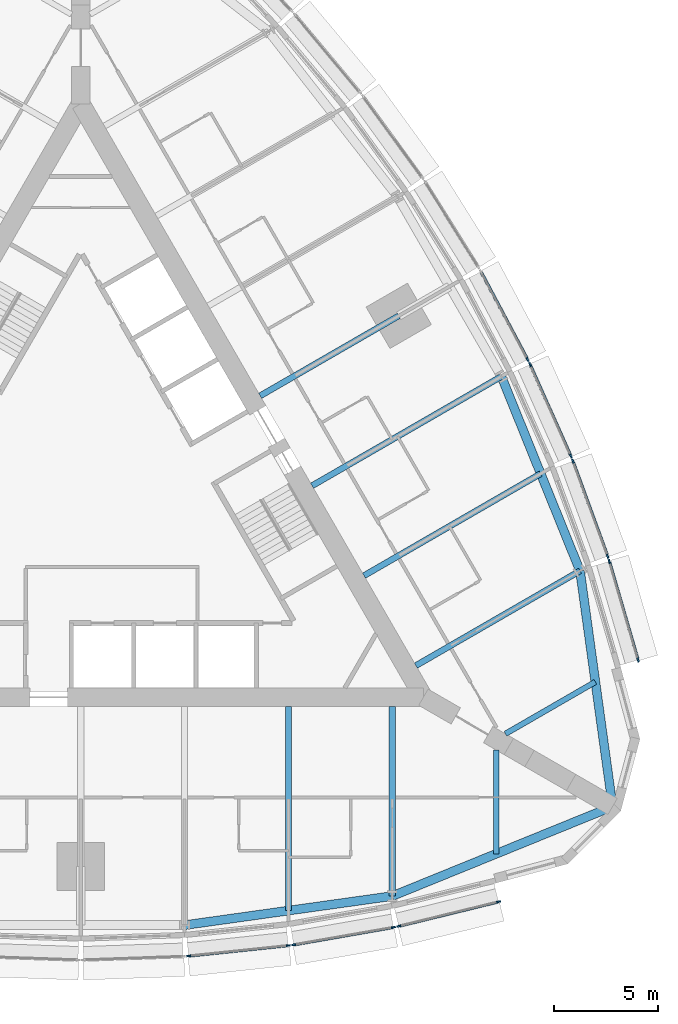
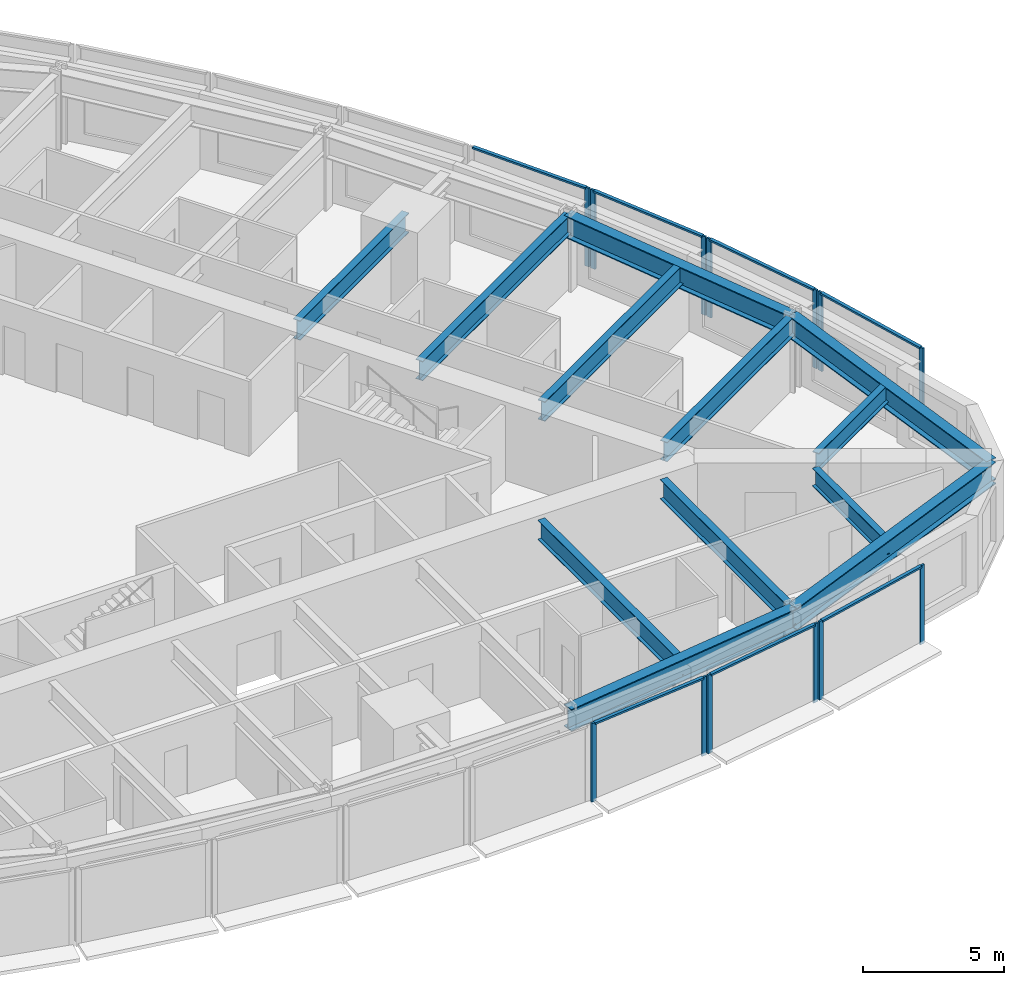
# One storey, part 3 of 14: 20 members, 12 beams, 7 elements without a shape of their own.
"""IFC4 building model written with IfcOpenShell, lengths in metres."""

from ifc_helpers import new_model, si_unit, direction, frame, origin, origin_2d, place, context, subcontext, project, spatial, rectangle, i_section, extrude, material, material_profile, profile_set, type_object, element, aggregate, save


model = new_model("IFC4")

# Units and contexts
model_context = context("Model", 3, precision=1e-05, world=origin(), true_north=direction((0.0, 1.0)))
body_context = subcontext(model_context, "Body", "Model", "MODEL_VIEW")
ifc_project = project(units=[si_unit("LENGTHUNIT", "METRE"), si_unit("AREAUNIT", "SQUARE_METRE"), si_unit("VOLUMEUNIT", "CUBIC_METRE"), si_unit("PLANEANGLEUNIT", "RADIAN"), si_unit("MASSUNIT", "GRAM", prefix="KILO")], contexts=[model_context])

# Site, building, storey
site_placement = place(None, origin())
site = spatial("IfcSite", under=ifc_project, at=site_placement, CompositionType="ELEMENT")
building_placement = place(site_placement, origin())
building = spatial("IfcBuilding", under=site, at=building_placement, Name="Trikona Tower", CompositionType="ELEMENT")
storey_placement = place(building_placement, frame((0.0, 0.0, 138.5)))
storey = spatial("IfcBuildingStorey", under=building, at=storey_placement, Name="L36", CompositionType="ELEMENT", Elevation=138.5)

# Curtain wall, members
ifc_material_1 = material(Name="Aluminium curtain wall system", Category="aluminium")
curtain_wall_type = type_object("IfcCurtainWallType", Name="Curtain wall DS2", PredefinedType="NOTDEFINED", material=ifc_material_1)
curtain_wall_1_placement = place(storey_placement, origin())
curtain_wall_1 = element("IfcCurtainWall", 1, at=curtain_wall_1_placement, inside=storey, type_object=curtain_wall_type, Name="Curtain wall DS2 L36", PredefinedType="NOTDEFINED")
ifc_material_2 = material(Name="Aluminium mullion, pale anodised", Category="aluminium")
ifc_material_profile_1 = material_profile(ifc_material_2, rectangle(XDim=0.080078125, YDim=0.199951171875, at=origin_2d()), Name="MUL-DS2")
ifc_profile_set_1 = profile_set([ifc_material_profile_1], Name="Aluminium mullion, pale anodised")
member_type_1 = type_object("IfcMemberType", Name="Mullion DS2 80x200", PredefinedType="MULLION", material=ifc_profile_set_1)
member_1_placement = place(storey_placement, frame((5.193359375, -21.98486328125, 0.0), z_axis=(0.0, 0.0, 1.0), x_axis=(-0.104433387357, 0.994531883654, 0.0)))
member_1 = element("IfcMember", 2, at=member_1_placement, type_object=member_type_1, Name="CW-DS2 mullion 1", PredefinedType="MULLION", context=body_context, shape_type="SweptSolid", body=[
    extrude(rectangle(XDim=0.080078125, YDim=0.199951171875, at=origin_2d()), origin(), (0.0, 0.0, 1.0), 3.39990234375),
])
member_2_placement = place(storey_placement, frame((9.99462890625, -21.480712890625, 0.0), z_axis=(0.0, 0.0, 1.0), x_axis=(-0.104433387357, 0.994531883654, 0.0)))
member_2 = element("IfcMember", 3, at=member_2_placement, type_object=member_type_1, Name="CW-DS2 mullion 2", PredefinedType="MULLION", context=body_context, shape_type="SweptSolid", body=[
    extrude(rectangle(XDim=0.080078125, YDim=0.199951171875, at=origin_2d()), origin(), (0.0, 0.0, 1.0), 3.39990234375),
])

curtain_wall_2_placement = place(storey_placement, origin())
curtain_wall_2 = element("IfcCurtainWall", 4, at=curtain_wall_2_placement, inside=storey, type_object=curtain_wall_type, Name="Curtain wall DS2 L36", PredefinedType="NOTDEFINED")
member_3_placement = place(storey_placement, frame((10.253662109375, -21.444580078125, 0.0), z_axis=(0.0, 0.0, 1.0), x_axis=(-0.17237739505, 0.985030981074, 0.0)))
member_3 = element("IfcMember", 5, at=member_3_placement, type_object=member_type_1, Name="CW-DS2 mullion 1", PredefinedType="MULLION", context=body_context, shape_type="SweptSolid", body=[
    extrude(rectangle(XDim=0.080078125, YDim=0.199951171875, at=origin_2d()), origin(), (0.0, 0.0, 1.0), 3.39990234375),
])
member_4_placement = place(storey_placement, frame((15.056640625, -20.60400390625, 0.0), z_axis=(0.0, 0.0, 1.0), x_axis=(-0.17237739505, 0.985030981074, 0.0)))
member_4 = element("IfcMember", 6, at=member_4_placement, type_object=member_type_1, Name="CW-DS2 mullion 2", PredefinedType="MULLION", context=body_context, shape_type="SweptSolid", body=[
    extrude(rectangle(XDim=0.080078125, YDim=0.199951171875, at=origin_2d()), origin(), (0.0, 0.0, 1.0), 3.39990234375),
])

curtain_wall_3_placement = place(storey_placement, origin())
curtain_wall_3 = element("IfcCurtainWall", 7, at=curtain_wall_3_placement, inside=storey, type_object=curtain_wall_type, Name="Curtain wall DS2 L36", PredefinedType="NOTDEFINED")
member_5_placement = place(storey_placement, frame((15.311279296875, -20.550537109375, 0.0), z_axis=(0.0, 0.0, 1.0), x_axis=(-0.237970204243, 0.971272455026, 0.0)))
member_5 = element("IfcMember", 8, at=member_5_placement, type_object=member_type_1, Name="CW-DS2 mullion 1", PredefinedType="MULLION", context=body_context, shape_type="SweptSolid", body=[
    extrude(rectangle(XDim=0.080078125, YDim=0.199951171875, at=origin_2d()), origin(), (0.0, 0.0, 1.0), 3.39990234375),
])
member_6_placement = place(storey_placement, frame((20.116943359375, -19.373046875, 0.0), z_axis=(0.0, 0.0, 1.0), x_axis=(-0.237970204243, 0.971272455026, 0.0)))
member_6 = element("IfcMember", 9, at=member_6_placement, type_object=member_type_1, Name="CW-DS2 mullion 2", PredefinedType="MULLION", context=body_context, shape_type="SweptSolid", body=[
    extrude(rectangle(XDim=0.080078125, YDim=0.199951171875, at=origin_2d()), origin(), (0.0, 0.0, 1.0), 3.39990234375),
])

curtain_wall_4_placement = place(storey_placement, origin())
curtain_wall_4 = element("IfcCurtainWall", 10, at=curtain_wall_4_placement, inside=storey, type_object=curtain_wall_type, Name="Curtain wall DS2 L36", PredefinedType="NOTDEFINED")
member_7_placement = place(storey_placement, frame((26.836181640625, -7.7353515625, 0.0), z_axis=(0.0, 0.0, 1.0), x_axis=(-0.96013310152, -0.279543247757, 0.0)))
member_7 = element("IfcMember", 11, at=member_7_placement, type_object=member_type_1, Name="CW-DS2 mullion 1", PredefinedType="MULLION", context=body_context, shape_type="SweptSolid", body=[
    extrude(rectangle(XDim=0.080078125, YDim=0.199951171875, at=origin_2d()), origin(), (0.0, 0.0, 1.0), 3.39990234375),
])
member_8_placement = place(storey_placement, frame((25.452880859375, -2.984619140625, 0.0), z_axis=(0.0, 0.0, 1.0), x_axis=(-0.96013310152, -0.279543247757, 0.0)))
member_8 = element("IfcMember", 12, at=member_8_placement, type_object=member_type_1, Name="CW-DS2 mullion 2", PredefinedType="MULLION", context=body_context, shape_type="SweptSolid", body=[
    extrude(rectangle(XDim=0.080078125, YDim=0.199951171875, at=origin_2d()), origin(), (0.0, 0.0, 1.0), 3.39990234375),
])

curtain_wall_5_placement = place(storey_placement, origin())
curtain_wall_5 = element("IfcCurtainWall", 13, at=curtain_wall_5_placement, inside=storey, type_object=curtain_wall_type, Name="Curtain wall DS2 L36", PredefinedType="NOTDEFINED")
member_9_placement = place(storey_placement, frame((25.371826171875, -2.737548828125, 0.0), z_axis=(0.0, 0.0, 1.0), x_axis=(-0.939253790978, -0.343223420143, 0.0)))
member_9 = element("IfcMember", 14, at=member_9_placement, type_object=member_type_1, Name="CW-DS2 mullion 1", PredefinedType="MULLION", context=body_context, shape_type="SweptSolid", body=[
    extrude(rectangle(XDim=0.080078125, YDim=0.199951171875, at=origin_2d()), origin(), (0.0, 0.0, 1.0), 3.39990234375),
])
member_10_placement = place(storey_placement, frame((23.6982421875, 1.84228515625, 0.0), z_axis=(0.0, 0.0, 1.0), x_axis=(-0.939253790978, -0.343223420143, 0.0)))
member_10 = element("IfcMember", 15, at=member_10_placement, type_object=member_type_1, Name="CW-DS2 mullion 2", PredefinedType="MULLION", context=body_context, shape_type="SweptSolid", body=[
    extrude(rectangle(XDim=0.080078125, YDim=0.199951171875, at=origin_2d()), origin(), (0.0, 0.0, 1.0), 3.39990234375),
])

curtain_wall_6_placement = place(storey_placement, origin())
curtain_wall_6 = element("IfcCurtainWall", 16, at=curtain_wall_6_placement, inside=storey, type_object=curtain_wall_type, Name="Curtain wall DS2 L36", PredefinedType="NOTDEFINED")
member_11_placement = place(storey_placement, frame((23.60009765625, 2.0849609375, 0.0), z_axis=(0.0, 0.0, 1.0), x_axis=(-0.913501208767, -0.406836013132, 0.0)))
member_11 = element("IfcMember", 17, at=member_11_placement, type_object=member_type_1, Name="CW-DS2 mullion 1", PredefinedType="MULLION", context=body_context, shape_type="SweptSolid", body=[
    extrude(rectangle(XDim=0.080078125, YDim=0.199951171875, at=origin_2d()), origin(), (0.0, 0.0, 1.0), 3.39990234375),
])
member_12_placement = place(storey_placement, frame((21.63623046875, 6.494873046875, 0.0), z_axis=(0.0, 0.0, 1.0), x_axis=(-0.913501208767, -0.406836013132, 0.0)))
member_12 = element("IfcMember", 18, at=member_12_placement, type_object=member_type_1, Name="CW-DS2 mullion 2", PredefinedType="MULLION", context=body_context, shape_type="SweptSolid", body=[
    extrude(rectangle(XDim=0.080078125, YDim=0.199951171875, at=origin_2d()), origin(), (0.0, 0.0, 1.0), 3.39990234375),
])

# Curtain wall, member
curtain_wall_7_placement = place(storey_placement, origin())
curtain_wall_7 = element("IfcCurtainWall", 19, at=curtain_wall_7_placement, inside=storey, type_object=curtain_wall_type, Name="Curtain wall DS2 L36", PredefinedType="NOTDEFINED")
member_13_placement = place(storey_placement, frame((21.52099609375, 6.730712890625, 0.0), z_axis=(0.0, 0.0, 1.0), x_axis=(-0.882996107343, -0.469380308937, 0.0)))
member_13 = element("IfcMember", 20, at=member_13_placement, type_object=member_type_1, Name="CW-DS2 mullion 1", PredefinedType="MULLION", context=body_context, shape_type="SweptSolid", body=[
    extrude(rectangle(XDim=0.080078125, YDim=0.199951171875, at=origin_2d()), origin(), (0.0, 0.0, 1.0), 3.39990234375),
])

# Beams
ifc_material_3 = material(Name="Steel ASTM A992 Grade 50", Category="steel")
ifc_material_profile_2 = material_profile(ifc_material_3, i_section(OverallWidth=0.2666015625, OverallDepth=0.76953125, WebThickness=0.015625, FlangeThickness=0.025390625, at=origin_2d()), Name="W30X132")
ifc_profile_set_2 = profile_set([ifc_material_profile_2], Name="Steel ASTM A992 Grade 50")
beam_type_1 = type_object("IfcBeamType", Name="Steel beam W30x132 (wedge)", PredefinedType="BEAM", material=ifc_profile_set_2)
beam_1_placement = place(storey_placement, frame((20.0, -12.066650390625, 2.85009765625), z_axis=(0.0, -1.0, 0.0), x_axis=(1.0, 0.0, 0.0)))
element("IfcBeam", 21, at=beam_1_placement, inside=storey, type_object=beam_type_1, Name="Floor beam L37 F1 u20", PredefinedType="BEAM", context=body_context, shape_type="SweptSolid", body=[
    extrude(i_section(OverallWidth=0.2666015625, OverallDepth=0.76953125, WebThickness=0.015625, FlangeThickness=0.025390625, at=origin_2d()), origin(), (0.0, 0.0, 1.0), 5.00048828125),
])
beam_2_placement = place(storey_placement, frame((20.449951171875, -11.287109375, 2.85009765625), z_axis=(0.866038434829, 0.49997742889, 0.0), x_axis=(-0.49997742889, 0.866038434829, 0.0)))
element("IfcBeam", 22, at=beam_2_placement, inside=storey, type_object=beam_type_1, Name="Floor beam L37 F2 u-20", PredefinedType="BEAM", context=body_context, shape_type="SweptSolid", body=[
    extrude(i_section(OverallWidth=0.2666015625, OverallDepth=0.76953125, WebThickness=0.015625, FlangeThickness=0.025390625, at=origin_2d()), origin(), (0.0, 0.0, 1.0), 5.000732421875),
])
ifc_material_4 = material(Name="Steel ASTM A992 Grade 50", Category="steel")
ifc_material_profile_3 = material_profile(ifc_material_4, i_section(OverallWidth=0.2919921875, OverallDepth=0.845703125, WebThickness=0.015380859375, FlangeThickness=0.0244140625, at=origin_2d()), Name="W33X141")
ifc_profile_set_3 = profile_set([ifc_material_profile_3], Name="Steel ASTM A992 Grade 50")
beam_type_2 = type_object("IfcBeamType", Name="Steel beam W33x141 (radial typ)", PredefinedType="BEAM", material=ifc_profile_set_3)
beam_3_placement = place(storey_placement, frame((10.0, -9.976318359375, 2.81201171875), z_axis=(0.0, -1.0, 0.0), x_axis=(1.0, 0.0, 0.0)))
element("IfcBeam", 23, at=beam_3_placement, inside=storey, type_object=beam_type_2, Name="Floor beam L37 F1 u10", PredefinedType="BEAM", context=body_context, shape_type="SweptSolid", body=[
    extrude(i_section(OverallWidth=0.2919921875, OverallDepth=0.845703125, WebThickness=0.015380859375, FlangeThickness=0.0244140625, at=origin_2d()), origin(), (0.0, 0.0, 1.0), 9.823974609375),
])
beam_4_placement = place(storey_placement, frame((15.0, -9.976318359375, 2.81201171875), z_axis=(0.0, -1.0, 0.0), x_axis=(1.0, 0.0, 0.0)))
element("IfcBeam", 24, at=beam_4_placement, inside=storey, type_object=beam_type_2, Name="Floor beam L37 F1 u15", PredefinedType="BEAM", context=body_context, shape_type="SweptSolid", body=[
    extrude(i_section(OverallWidth=0.2919921875, OverallDepth=0.845703125, WebThickness=0.015380859375, FlangeThickness=0.0244140625, at=origin_2d()), origin(), (0.0, 0.0, 1.0), 9.123779296875),
])
beam_5_placement = place(storey_placement, frame((16.1396484375, -8.002197265625, 2.81201171875), z_axis=(0.866024725532, 0.500001174766, 0.0), x_axis=(-0.500001174766, 0.866024725532, 0.0)))
element("IfcBeam", 25, at=beam_5_placement, inside=storey, type_object=beam_type_2, Name="Floor beam L37 F2 u-15", PredefinedType="BEAM", context=body_context, shape_type="SweptSolid", body=[
    extrude(i_section(OverallWidth=0.2919921875, OverallDepth=0.845703125, WebThickness=0.015380859375, FlangeThickness=0.0244140625, at=origin_2d()), origin(), (0.0, 0.0, 1.0), 9.1240234375),
])
beam_6_placement = place(storey_placement, frame((13.6396484375, -3.672119140625, 2.81201171875), z_axis=(0.866020046725, 0.500009278584, 0.0), x_axis=(-0.500009278584, 0.866020046725, 0.0)))
element("IfcBeam", 26, at=beam_6_placement, inside=storey, type_object=beam_type_2, Name="Floor beam L37 F2 u-10", PredefinedType="BEAM", context=body_context, shape_type="SweptSolid", body=[
    extrude(i_section(OverallWidth=0.2919921875, OverallDepth=0.845703125, WebThickness=0.015380859375, FlangeThickness=0.0244140625, at=origin_2d()), origin(), (0.0, 0.0, 1.0), 9.823974609375),
])
beam_7_placement = place(storey_placement, frame((11.1396484375, 0.657958984375, 2.81201171875), z_axis=(0.866026035623, 0.499998905622, 0.0), x_axis=(-0.499998905622, 0.866026035623, 0.0)))
element("IfcBeam", 27, at=beam_7_placement, inside=storey, type_object=beam_type_2, Name="Floor beam L37 F2 u-5", PredefinedType="BEAM", context=body_context, shape_type="SweptSolid", body=[
    extrude(i_section(OverallWidth=0.2919921875, OverallDepth=0.845703125, WebThickness=0.015380859375, FlangeThickness=0.0244140625, at=origin_2d()), origin(), (0.0, 0.0, 1.0), 10.52392578125),
])
beam_8_placement = place(storey_placement, frame((8.6396484375, 4.988037109375, 2.81201171875), z_axis=(0.866017246294, 0.500014128921, 0.0), x_axis=(-0.500014128921, 0.866017246294, 0.0)))
element("IfcBeam", 28, at=beam_8_placement, inside=storey, type_object=beam_type_2, Name="Floor beam L37 F2 u0", PredefinedType="BEAM", context=body_context, shape_type="SweptSolid", body=[
    extrude(i_section(OverallWidth=0.2919921875, OverallDepth=0.845703125, WebThickness=0.015380859375, FlangeThickness=0.0244140625, at=origin_2d()), origin(), (0.0, 0.0, 1.0), 7.704345703125),
])
ifc_material_5 = material(Name="Steel ASTM A992 Grade 50", Category="steel")
ifc_material_profile_4 = material_profile(ifc_material_5, i_section(OverallWidth=0.424072265625, OverallDepth=0.947509765625, WebThickness=0.02392578125, FlangeThickness=0.042724609375, at=origin_2d()), Name="W36X302")
ifc_profile_set_4 = profile_set([ifc_material_profile_4], Name="Steel ASTM A992 Grade 50")
beam_type_3 = type_object("IfcBeamType", Name="Steel beam W36x302 (spandrel)", PredefinedType="SPANDREL", material=ifc_profile_set_4)
beam_9_placement = place(storey_placement, frame((5.0, -20.500244140625, 2.76123046875), z_axis=(0.990339754644, 0.13866207258, 0.0), x_axis=(-0.13866207258, 0.990339754644, 0.0)))
element("IfcBeam", 29, at=beam_9_placement, inside=storey, type_object=beam_type_3, Name="Spandrel beam L37 F1-4", PredefinedType="SPANDREL", context=body_context, shape_type="SweptSolid", body=[
    extrude(i_section(OverallWidth=0.424072265625, OverallDepth=0.947509765625, WebThickness=0.02392578125, FlangeThickness=0.042724609375, at=origin_2d()), origin(), (0.0, 0.0, 1.0), 10.09765625),
])
for number, where, z_axis, x_axis, name in (
    (30, (15.0, -19.10009765625, 2.76123046875), (0.926359695662, 0.376640032728, 0.0), (-0.376640032728, 0.926359695662, 0.0), "Spandrel beam L37 F1-5"),
    (31, (25.6103515625, -14.7861328125, 2.76123046875), (-0.136991535842, 0.990572218017, 0.0), (-0.990572218017, -0.136991535842, 0.0), "Spandrel beam L37 F2-1"),
):
    element("IfcBeam", number, at=place(storey_placement, frame(where, z_axis=z_axis, x_axis=x_axis)), inside=storey, type_object=beam_type_3, Name=name, PredefinedType="SPANDREL", context=body_context, shape_type="SweptSolid", body=[
        extrude(i_section(OverallWidth=0.424072265625, OverallDepth=0.947509765625, WebThickness=0.02392578125, FlangeThickness=0.042724609375, at=origin_2d()), origin(), (0.0, 0.0, 1.0), 11.453857421875),
    ])
beam_10_placement = place(storey_placement, frame((24.041259765625, -3.440185546875, 2.76123046875), z_axis=(-0.375106193787, 0.926981846307, 0.0), x_axis=(-0.926981846307, -0.375106193787, 0.0)))
element("IfcBeam", 32, at=beam_10_placement, inside=storey, type_object=beam_type_3, Name="Spandrel beam L37 F2-2", PredefinedType="SPANDREL", context=body_context, shape_type="SweptSolid", body=[
    extrude(i_section(OverallWidth=0.424072265625, OverallDepth=0.947509765625, WebThickness=0.02392578125, FlangeThickness=0.042724609375, at=origin_2d()), origin(), (0.0, 0.0, 1.0), 10.097412109375),
])

# Member
ifc_material_6 = material(Name="Aluminium transom, pale anodised", Category="aluminium")
ifc_material_profile_5 = material_profile(ifc_material_6, rectangle(XDim=0.139892578125, YDim=0.080078125, at=origin_2d()), Name="TRN-DS2")
ifc_profile_set_5 = profile_set([ifc_material_profile_5], Name="Aluminium transom, pale anodised")
member_type_2 = type_object("IfcMemberType", Name="Transom DS2 80x140", PredefinedType="USERDEFINED", material=ifc_profile_set_5)
member_14_placement = place(storey_placement, frame((5.233154296875, -21.980712890625, 3.360107421875), z_axis=(0.99453106441, 0.104441188822, 0.0), x_axis=(-0.104441188822, 0.99453106441, 0.0)))
member_14 = element("IfcMember", 33, at=member_14_placement, type_object=member_type_2, Name="CW-DS2 transom 1.1", ObjectType="TRANSOM", PredefinedType="USERDEFINED", context=body_context, shape_type="SweptSolid", body=[
    extrude(rectangle(XDim=0.139892578125, YDim=0.080078125, at=origin_2d()), origin(), (0.0, 0.0, 1.0), 4.74755859375),
])

aggregate(curtain_wall_1, [member_1, member_2, member_14])

member_15_placement = place(storey_placement, frame((10.29296875, -21.4375, 3.360107421875), z_axis=(0.98503262804, 0.172367983387, 0.0), x_axis=(-0.172367983387, 0.98503262804, 0.0)))
member_15 = element("IfcMember", 34, at=member_15_placement, type_object=member_type_2, Name="CW-DS2 transom 1.1", ObjectType="TRANSOM", PredefinedType="USERDEFINED", context=body_context, shape_type="SweptSolid", body=[
    extrude(rectangle(XDim=0.139892578125, YDim=0.080078125, at=origin_2d()), origin(), (0.0, 0.0, 1.0), 4.7958984375),
])

aggregate(curtain_wall_2, [member_3, member_4, member_15])

member_16_placement = place(storey_placement, frame((15.35009765625, -20.541015625, 3.360107421875), z_axis=(0.971270583303, 0.237977843528, 0.0), x_axis=(-0.237977843528, 0.971270583303, 0.0)))
member_16 = element("IfcMember", 35, at=member_16_placement, type_object=member_type_2, Name="CW-DS2 transom 1.1", ObjectType="TRANSOM", PredefinedType="USERDEFINED", context=body_context, shape_type="SweptSolid", body=[
    extrude(rectangle(XDim=0.139892578125, YDim=0.080078125, at=origin_2d()), origin(), (0.0, 0.0, 1.0), 4.867919921875),
])

aggregate(curtain_wall_3, [member_5, member_6, member_16])

member_17_placement = place(storey_placement, frame((26.824951171875, -7.69677734375, 3.360107421875), z_axis=(-0.279566628153, 0.960126293996, 0.0), x_axis=(-0.960126293996, -0.279566628153, 0.0)))
member_17 = element("IfcMember", 36, at=member_17_placement, type_object=member_type_2, Name="CW-DS2 transom 1.1", ObjectType="TRANSOM", PredefinedType="USERDEFINED", context=body_context, shape_type="SweptSolid", body=[
    extrude(rectangle(XDim=0.139892578125, YDim=0.080078125, at=origin_2d()), origin(), (0.0, 0.0, 1.0), 4.86767578125),
])

aggregate(curtain_wall_4, [member_7, member_8, member_17])

member_18_placement = place(storey_placement, frame((25.358154296875, -2.699951171875, 3.360107421875), z_axis=(-0.343205907674, 0.939260190223, 0.0), x_axis=(-0.939260190223, -0.343205907674, 0.0)))
member_18 = element("IfcMember", 37, at=member_18_placement, type_object=member_type_2, Name="CW-DS2 transom 1.1", ObjectType="TRANSOM", PredefinedType="USERDEFINED", context=body_context, shape_type="SweptSolid", body=[
    extrude(rectangle(XDim=0.139892578125, YDim=0.080078125, at=origin_2d()), origin(), (0.0, 0.0, 1.0), 4.7958984375),
])

aggregate(curtain_wall_5, [member_9, member_10, member_18])

member_19_placement = place(storey_placement, frame((23.583740234375, 2.12158203125, 3.360107421875), z_axis=(-0.406839769607, 0.913499535778, 0.0), x_axis=(-0.913499535778, -0.406839769607, 0.0)))
member_19 = element("IfcMember", 38, at=member_19_placement, type_object=member_type_2, Name="CW-DS2 transom 1.1", ObjectType="TRANSOM", PredefinedType="USERDEFINED", context=body_context, shape_type="SweptSolid", body=[
    extrude(rectangle(XDim=0.139892578125, YDim=0.080078125, at=origin_2d()), origin(), (0.0, 0.0, 1.0), 4.747314453125),
])

aggregate(curtain_wall_6, [member_11, member_12, member_19])

member_20_placement = place(storey_placement, frame((21.502197265625, 6.76611328125, 3.360107421875), z_axis=(-0.469364343408, 0.883004594063, 0.0), x_axis=(-0.883004594063, -0.469364343408, 0.0)))
member_20 = element("IfcMember", 39, at=member_20_placement, type_object=member_type_2, Name="CW-DS2 transom 1.1", ObjectType="TRANSOM", PredefinedType="USERDEFINED", context=body_context, shape_type="SweptSolid", body=[
    extrude(rectangle(XDim=0.139892578125, YDim=0.080078125, at=origin_2d()), origin(), (0.0, 0.0, 1.0), 4.722900390625),
])

aggregate(curtain_wall_7, [member_13, member_20])

save(model, "model.ifc")
